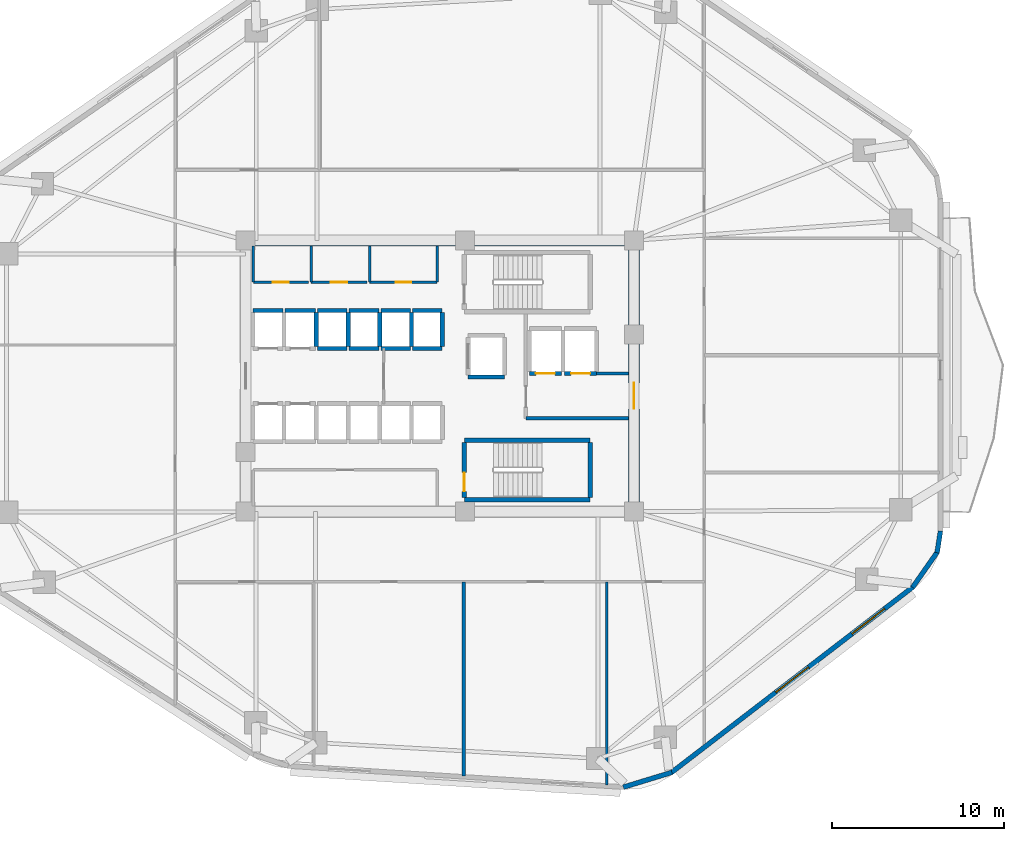
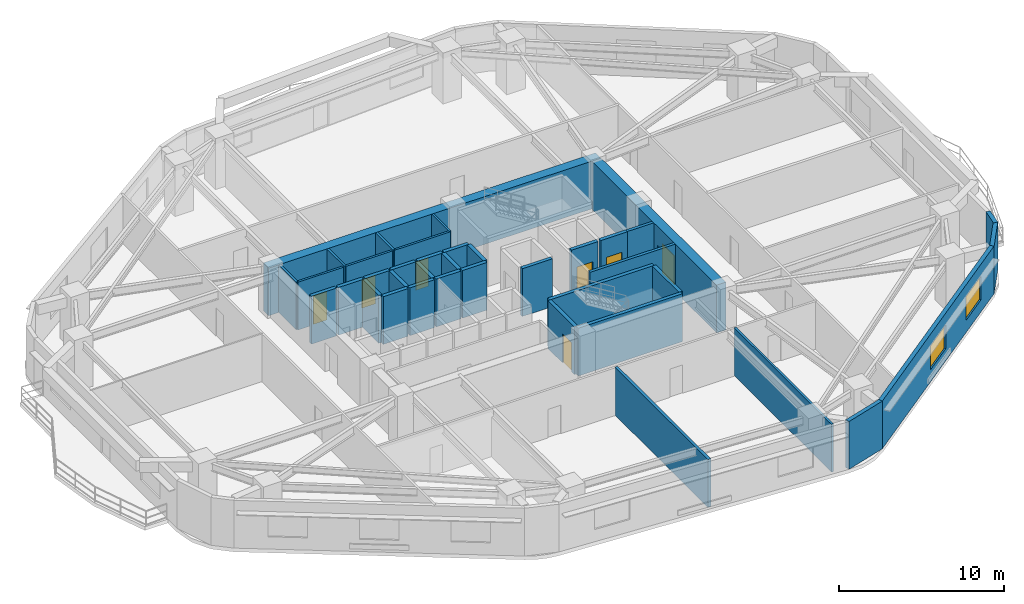
# One storey, part 4 of 9: 39 walls, 7 doors, 2 windows, 9 openings.
"""IFC4 building model written with IfcOpenShell, lengths in metres."""

from ifc_helpers import new_model, si_unit, direction, frame, frame_2d, origin, place, context, subcontext, project, spatial, rectangle, extrude, material, layer, layer_set, type_object, element, fill, save


model = new_model("IFC4")

# Units and contexts
model_context = context("Model", 3, precision=1e-05, world=origin(), true_north=direction((0.0, 1.0)))
body_context = subcontext(model_context, "Body", "Model", "MODEL_VIEW")
ifc_project = project(units=[si_unit("LENGTHUNIT", "METRE"), si_unit("AREAUNIT", "SQUARE_METRE"), si_unit("VOLUMEUNIT", "CUBIC_METRE"), si_unit("PLANEANGLEUNIT", "RADIAN"), si_unit("MASSUNIT", "GRAM", prefix="KILO")], contexts=[model_context])

# Site, building, storey
site_placement = place(None, origin())
site = spatial("IfcSite", under=ifc_project, at=site_placement, CompositionType="ELEMENT")
building_placement = place(site_placement, origin())
building = spatial("IfcBuilding", under=site, at=building_placement, Name="Zulverin Broadcast Headquarters", CompositionType="ELEMENT")
storey_placement = place(building_placement, frame((0.0, 0.0, 63.0)))
storey = spatial("IfcBuildingStorey", under=building, at=storey_placement, Name="L15", CompositionType="ELEMENT", Elevation=63.0)

# Walls
ifc_material_1 = material(Name="Acoustic drywall steel stud", Category="steel")
ifc_layer_1 = layer(ifc_material_1, 0.199951171875, Name="Acoustic drywall steel stud", Category="steel")
ifc_layer_set_1 = layer_set([ifc_layer_1], Name="Acoustic drywall steel stud")
wall_type_1 = type_object("IfcWallType", Name="WL-ACOU-200", PredefinedType="PARTITIONING", material=ifc_layer_set_1)
wall_1_placement = place(storey_placement, frame((38.39990234375, 1.989990234375, 0.0), z_axis=(0.0, 0.0, 1.0), x_axis=(0.0, 1.0, 0.0)))
element("IfcWall", 1, at=wall_1_placement, inside=storey, type_object=wall_type_1, Name="L15 Room Partition Wall RP-03", PredefinedType="PARTITIONING", context=body_context, shape_type="SweptSolid", body=[
    extrude(rectangle(XDim=11.260009765625, YDim=0.199951171875, at=frame_2d((5.6298828125, 0.0))), origin(), (0.0, 0.0, 1.0), 3.52490234375),
])
ifc_material_2 = material(Name="Concrete C60/75", Category="concrete")
ifc_layer_2 = layer(ifc_material_2, 0.64990234375, Name="Concrete C60/75", Category="concrete")
ifc_layer_set_2 = layer_set([ifc_layer_2], Name="Concrete C60/75")
wall_type_2 = type_object("IfcWallType", Name="WL-CORE-650", PredefinedType="SHEAR", material=ifc_layer_set_2)
wall_2_placement = place(storey_placement, frame((25.39990234375, 33.074951171875, 0.0), z_axis=(0.0, 0.0, 1.0), x_axis=(1.0, 0.0, 0.0)))
element("IfcWall", 2, at=wall_2_placement, inside=storey, type_object=wall_type_2, Name="L15 Core North Shear Wall", PredefinedType="SHEAR", context=body_context, shape_type="SweptSolid", body=[
    extrude(rectangle(XDim=23.2001953125, YDim=0.64990234375, at=frame_2d((11.60009765625, 0.0))), origin(), (0.0, 0.0, 1.0), 3.52490234375),
])

# Wall, opening, door
wall_3_placement = place(storey_placement, frame((48.27490234375, 17.64990234375, 0.0), z_axis=(0.0, 0.0, 1.0), x_axis=(0.0, 1.0, 0.0)))
wall_3 = element("IfcWall", 3, at=wall_3_placement, inside=storey, type_object=wall_type_2, Name="L15 Core East Shear Wall", PredefinedType="SHEAR", context=body_context, shape_type="SweptSolid", body=[
    extrude(rectangle(XDim=15.10009765625, YDim=0.64990234375, at=frame_2d((7.550048828125, 0.0))), origin(), (0.0, 0.0, 1.0), 3.52490234375),
])
opening_1_placement = place(wall_3_placement, frame((5.64990234375, 0.0, 0.0)))
opening_1 = element("IfcOpeningElement", 4, at=opening_1_placement, cuts=wall_3, Name="Opening D-L15-CE1", PredefinedType="OPENING", context=body_context, shape_type="SweptSolid", body=[
    extrude(rectangle(XDim=1.5, YDim=2.14990234375, at=frame_2d((0.75, 1.074951171875))), frame((0.0, 0.3349609375, 0.0), z_axis=(0.0, -1.0, 0.0), x_axis=(1.0, 0.0, 0.0)), (0.0, 0.0, 1.0), 0.669921875),
])
ifc_material_3 = material(Name="Fire-rated glazed steel frame", Category="steel")
door_type_1 = type_object("IfcDoorType", Name="DR-COR-1500", OperationType="DOUBLE_DOOR_SINGLE_SWING", PredefinedType="DOOR", material=ifc_material_3)
door_1_placement = place(opening_1_placement, origin())
door_1 = element("IfcDoor", 5, at=door_1_placement, inside=storey, type_object=door_type_1, Name="L15 Firefighting Lobby East Corridor Door", OperationType="DOUBLE_DOOR_SINGLE_SWING", OverallHeight=2.14990234375, OverallWidth=1.5, PredefinedType="DOOR", context=body_context, shape_type="SweptSolid", body=[
    extrude(rectangle(XDim=1.5, YDim=2.14990234375, at=frame_2d((0.75, 1.074951171875))), frame((0.0, 0.02490234375, 0.0), z_axis=(0.0, -1.0, 0.0), x_axis=(1.0, 0.0, 0.0)), (0.0, 0.0, 1.0), 0.050048828125),
])
fill(opening_1, door_1)

# Wall, openings, windows
ifc_material_4 = material(Name="Insulated pale-metal clad concrete spandrel C40/50", Category="concrete")
ifc_layer_3 = layer(ifc_material_4, 0.280029296875, Name="Insulated pale-metal clad concrete spandrel C40/50", Category="concrete")
ifc_layer_set_3 = layer_set([ifc_layer_3], Name="Insulated pale-metal clad concrete spandrel C40/50")
wall_type_3 = type_object("IfcWallType", Name="WL-EXT-280", PredefinedType="STANDARD", material=ifc_layer_set_3)
wall_4_placement = place(storey_placement, frame((50.4287109375, 2.171630859375, 0.0), z_axis=(0.0, 0.0, 1.0), x_axis=(0.792937466367, 0.609303023488, 0.0)))
wall_4 = element("IfcWall", 6, at=wall_4_placement, inside=storey, type_object=wall_type_3, Name="L15 Pale-Metal Clad Spandrel Wall 2", PredefinedType="STANDARD", context=body_context, shape_type="SweptSolid", body=[
    extrude(rectangle(XDim=17.712890625, YDim=0.280029296875, at=frame_2d((8.8564453125, 0.0))), origin(), (0.0, 0.0, 1.0), 3.52490234375),
])
opening_2_placement = place(wall_4_placement, frame((7.656494140625, 0.0, 0.89990234375)))
opening_2 = element("IfcOpeningElement", 7, at=opening_2_placement, cuts=wall_4, Name="Opening W-L15-E21", PredefinedType="OPENING", context=body_context, shape_type="SweptSolid", body=[
    extrude(rectangle(XDim=2.39990234375, YDim=1.75, at=frame_2d((1.199951171875, 0.875))), frame((0.0, 0.14990234375, 0.0), z_axis=(0.0, -1.0, 0.0), x_axis=(1.0, 0.0, 0.0)), (0.0, 0.0, 1.0), 0.300048828125),
])
opening_3_placement = place(wall_4_placement, frame((13.227294921875, 0.0, 0.89990234375)))
opening_3 = element("IfcOpeningElement", 8, at=opening_3_placement, cuts=wall_4, Name="Opening W-L15-E22", PredefinedType="OPENING", context=body_context, shape_type="SweptSolid", body=[
    extrude(rectangle(XDim=2.39990234375, YDim=1.75, at=frame_2d((1.199951171875, 0.875))), frame((0.0, 0.14990234375, 0.0), z_axis=(0.0, -1.0, 0.0), x_axis=(1.0, 0.0, 0.0)), (0.0, 0.0, 1.0), 0.300048828125),
])
ifc_material_5 = material(Name="Pale anodized aluminium frame with solar-control low-E double glazing", Category="aluminium")
window_type = type_object("IfcWindowType", Name="WIN-RIB-2400", PartitioningType="SINGLE_PANEL", PredefinedType="WINDOW", material=ifc_material_5)
window_1_placement = place(opening_2_placement, origin())
window_1 = element("IfcWindow", 9, at=window_1_placement, inside=storey, type_object=window_type, Name="L15 Ribbon Glazing Window 2 1", OverallHeight=1.75, OverallWidth=2.39990234375, PartitioningType="SINGLE_PANEL", PredefinedType="WINDOW", context=body_context, shape_type="SweptSolid", body=[
    extrude(rectangle(XDim=2.39990234375, YDim=1.75, at=frame_2d((1.199951171875, 0.875))), frame((0.0, 0.030029296875, 0.0), z_axis=(0.0, -1.0, 0.0), x_axis=(1.0, 0.0, 0.0)), (0.0, 0.0, 1.0), 0.06005859375),
])
fill(opening_2, window_1)
window_2_placement = place(opening_3_placement, origin())
window_2 = element("IfcWindow", 10, at=window_2_placement, inside=storey, type_object=window_type, Name="L15 Ribbon Glazing Window 2 2", OverallHeight=1.75, OverallWidth=2.39990234375, PartitioningType="SINGLE_PANEL", PredefinedType="WINDOW", context=body_context, shape_type="SweptSolid", body=[
    extrude(rectangle(XDim=2.39990234375, YDim=1.75, at=frame_2d((1.199951171875, 0.875))), frame((0.0, 0.030029296875, 0.0), z_axis=(0.0, -1.0, 0.0), x_axis=(1.0, 0.0, 0.0)), (0.0, 0.0, 1.0), 0.06005859375),
])
fill(opening_3, window_2)

# Walls
wall_5_placement = place(storey_placement, frame((47.649658203125, 1.3330078125, 0.0), z_axis=(0.0, 0.0, 1.0), x_axis=(0.956461287977, 0.291859220516, 0.0)))
element("IfcWall", 11, at=wall_5_placement, inside=storey, type_object=wall_type_3, Name="L15 Wind-Shaped Corner Spandrel Wall 1-1", PredefinedType="STANDARD", context=body_context, shape_type="SweptSolid", body=[
    extrude(rectangle(XDim=2.951904296875, YDim=0.280029296875, at=frame_2d((1.47607421875, 0.0))), origin(), (0.0, 0.0, 1.0), 3.52490234375),
])
wall_6_placement = place(storey_placement, frame((64.4443359375, 12.933349609375, 0.0), z_axis=(0.0, 0.0, 1.0), x_axis=(0.573176686443, 0.819431806875, 0.0)))
element("IfcWall", 12, at=wall_6_placement, inside=storey, type_object=wall_type_3, Name="L15 Wind-Shaped Corner Spandrel Wall 2-1", PredefinedType="STANDARD", context=body_context, shape_type="SweptSolid", body=[
    extrude(rectangle(XDim=2.524169921875, YDim=0.280029296875, at=frame_2d((1.26220703125, 0.0))), origin(), (0.0, 0.0, 1.0), 3.52490234375),
])
wall_7_placement = place(storey_placement, frame((65.867431640625, 14.942626953125, 0.0), z_axis=(0.0, 0.0, 1.0), x_axis=(0.152014078361, 0.988378328364, 0.0)))
element("IfcWall", 13, at=wall_7_placement, inside=storey, type_object=wall_type_3, Name="L15 Wind-Shaped Corner Spandrel Wall 2-2", PredefinedType="STANDARD", context=body_context, shape_type="SweptSolid", body=[
    extrude(rectangle(XDim=1.27685546875, YDim=0.280029296875, at=frame_2d((0.638427734375, 0.0))), origin(), (0.0, 0.0, 1.0), 3.52490234375),
])
ifc_material_6 = material(Name="Concrete C40/50", Category="concrete")
ifc_layer_4 = layer(ifc_material_6, 0.199951171875, Name="Concrete C40/50", Category="concrete")
ifc_layer_set_4 = layer_set([ifc_layer_4], Name="Concrete C40/50")
wall_type_4 = type_object("IfcWallType", Name="WL-FFL-200", PredefinedType="SOLIDWALL", material=ifc_layer_set_4)
wall_8_placement = place(storey_placement, frame((42.0, 22.75, 0.0), z_axis=(0.0, 0.0, 1.0), x_axis=(1.0, 0.0, 0.0)))
element("IfcWall", 14, at=wall_8_placement, inside=storey, type_object=wall_type_4, Name="L15 Firefighting Lift Lobby South Wall", PredefinedType="SOLIDWALL", context=body_context, shape_type="SweptSolid", body=[
    extrude(rectangle(XDim=5.949951171875, YDim=0.199951171875, at=frame_2d((2.97509765625, 0.0))), origin(), (0.0, 0.0, 1.0), 3.52490234375),
])
wall_9_placement = place(storey_placement, frame((46.10009765625, 25.35009765625, 0.0), z_axis=(0.0, 0.0, 1.0), x_axis=(1.0, 0.0, 0.0)))
element("IfcWall", 15, at=wall_9_placement, inside=storey, type_object=wall_type_4, Name="L15 Firefighting Lift Lobby North Wall", PredefinedType="SOLIDWALL", context=body_context, shape_type="SweptSolid", body=[
    extrude(rectangle(XDim=1.849853515625, YDim=0.199951171875, at=frame_2d((0.9248046875, 0.0))), origin(), (0.0, 0.0, 1.0), 3.52490234375),
])

# Wall, opening, door
ifc_material_7 = material(Name="Fire-rated gypsum stud partition", Category="gypsum")
ifc_layer_5 = layer(ifc_material_7, 0.14990234375, Name="Fire-rated gypsum stud partition", Category="gypsum")
ifc_layer_set_5 = layer_set([ifc_layer_5], Name="Fire-rated gypsum stud partition")
wall_type_5 = type_object("IfcWallType", Name="WL-PART-150", PredefinedType="PARTITIONING", material=ifc_layer_set_5)
wall_10_placement = place(storey_placement, frame((26.169921875, 30.64990234375, 0.0), z_axis=(0.0, 0.0, 1.0), x_axis=(1.0, 0.0, 0.0)))
wall_10 = element("IfcWall", 16, at=wall_10_placement, inside=storey, type_object=wall_type_5, Name="L15 Core Accessible WC Front Wall", PredefinedType="PARTITIONING", context=body_context, shape_type="SweptSolid", body=[
    extrude(rectangle(XDim=3.2001953125, YDim=0.14990234375, at=frame_2d((1.60009765625, 0.0))), origin(), (0.0, 0.0, 1.0), 3.52490234375),
])
opening_4_placement = place(wall_10_placement, frame((1.125, 0.0, 0.0)))
opening_4 = element("IfcOpeningElement", 17, at=opening_4_placement, cuts=wall_10, Name="Opening D-L15-NC1", PredefinedType="OPENING", context=body_context, shape_type="SweptSolid", body=[
    extrude(rectangle(XDim=0.949951171875, YDim=2.10009765625, at=frame_2d((0.47509765625, 1.050048828125))), frame((0.0, 0.0849609375, 0.0), z_axis=(0.0, -1.0, 0.0), x_axis=(1.0, 0.0, 0.0)), (0.0, 0.0, 1.0), 0.169921875),
])
ifc_material_8 = material(Name="Fire-rated moisture-resistant laminate leaf", Category="wood")
door_type_2 = type_object("IfcDoorType", Name="DR-WC-950", OperationType="SINGLE_SWING_LEFT", PredefinedType="DOOR", material=ifc_material_8)
door_2_placement = place(opening_4_placement, origin())
door_2 = element("IfcDoor", 18, at=door_2_placement, inside=storey, type_object=door_type_2, Name="L15 Accessible WC Door", OperationType="SINGLE_SWING_LEFT", OverallHeight=2.10009765625, OverallWidth=0.949951171875, PredefinedType="DOOR", context=body_context, shape_type="SweptSolid", body=[
    extrude(rectangle(XDim=0.949951171875, YDim=2.10009765625, at=frame_2d((0.47509765625, 1.050048828125))), frame((0.0, 0.02490234375, 0.0), z_axis=(0.0, -1.0, 0.0), x_axis=(1.0, 0.0, 0.0)), (0.0, 0.0, 1.0), 0.050048828125),
])
fill(opening_4, door_2)

# Wall
wall_11_placement = place(storey_placement, frame((26.169921875, 30.64990234375, 0.0), z_axis=(0.0, 0.0, 1.0), x_axis=(0.0, 1.0, 0.0)))
element("IfcWall", 19, at=wall_11_placement, inside=storey, type_object=wall_type_5, Name="L15 Core Accessible WC West Wall", PredefinedType="PARTITIONING", context=body_context, shape_type="SweptSolid", body=[
    extrude(rectangle(XDim=2.10009765625, YDim=0.14990234375, at=frame_2d((1.050048828125, 0.0))), origin(), (0.0, 0.0, 1.0), 3.52490234375),
])

# Wall, opening, door
wall_12_placement = place(storey_placement, frame((29.530029296875, 30.64990234375, 0.0), z_axis=(0.0, 0.0, 1.0), x_axis=(1.0, 0.0, 0.0)))
wall_12 = element("IfcWall", 20, at=wall_12_placement, inside=storey, type_object=wall_type_5, Name="L15 Core Male WC Front Wall", PredefinedType="PARTITIONING", context=body_context, shape_type="SweptSolid", body=[
    extrude(rectangle(XDim=3.239990234375, YDim=0.14990234375, at=frame_2d((1.6201171875, 0.0))), origin(), (0.0, 0.0, 1.0), 3.52490234375),
])
opening_5_placement = place(wall_12_placement, frame((1.14501953125, 0.0, 0.0)))
opening_5 = element("IfcOpeningElement", 21, at=opening_5_placement, cuts=wall_12, Name="Opening D-L15-NC2", PredefinedType="OPENING", context=body_context, shape_type="SweptSolid", body=[
    extrude(rectangle(XDim=0.949951171875, YDim=2.10009765625, at=frame_2d((0.47509765625, 1.050048828125))), frame((0.0, 0.0849609375, 0.0), z_axis=(0.0, -1.0, 0.0), x_axis=(1.0, 0.0, 0.0)), (0.0, 0.0, 1.0), 0.169921875),
])
door_3_placement = place(opening_5_placement, origin())
door_3 = element("IfcDoor", 22, at=door_3_placement, inside=storey, type_object=door_type_2, Name="L15 Male WC Door", OperationType="SINGLE_SWING_RIGHT", OverallHeight=2.10009765625, OverallWidth=0.949951171875, PredefinedType="DOOR", context=body_context, shape_type="SweptSolid", body=[
    extrude(rectangle(XDim=0.949951171875, YDim=2.10009765625, at=frame_2d((0.47509765625, 1.050048828125))), frame((0.0, 0.02490234375, 0.0), z_axis=(0.0, -1.0, 0.0), x_axis=(1.0, 0.0, 0.0)), (0.0, 0.0, 1.0), 0.050048828125),
])
fill(opening_5, door_3)

# Wall
wall_13_placement = place(storey_placement, frame((29.530029296875, 30.64990234375, 0.0), z_axis=(0.0, 0.0, 1.0), x_axis=(0.0, 1.0, 0.0)))
element("IfcWall", 23, at=wall_13_placement, inside=storey, type_object=wall_type_5, Name="L15 Core Male WC West Wall", PredefinedType="PARTITIONING", context=body_context, shape_type="SweptSolid", body=[
    extrude(rectangle(XDim=2.10009765625, YDim=0.14990234375, at=frame_2d((1.050048828125, 0.0))), origin(), (0.0, 0.0, 1.0), 3.52490234375),
])

# Wall, opening, door
wall_14_placement = place(storey_placement, frame((32.929931640625, 30.64990234375, 0.0), z_axis=(0.0, 0.0, 1.0), x_axis=(1.0, 0.0, 0.0)))
wall_14 = element("IfcWall", 24, at=wall_14_placement, inside=storey, type_object=wall_type_5, Name="L15 Core Electrical Switch Riser Front Wall", PredefinedType="PARTITIONING", context=body_context, shape_type="SweptSolid", body=[
    extrude(rectangle(XDim=3.920166015625, YDim=0.14990234375, at=frame_2d((1.9599609375, 0.0))), origin(), (0.0, 0.0, 1.0), 3.52490234375),
])
opening_6_placement = place(wall_14_placement, frame((1.510009765625, 0.0, 0.0)))
opening_6 = element("IfcOpeningElement", 25, at=opening_6_placement, cuts=wall_14, Name="Opening D-L15-NC3", PredefinedType="OPENING", context=body_context, shape_type="SweptSolid", body=[
    extrude(rectangle(XDim=0.89990234375, YDim=2.10009765625, at=frame_2d((0.449951171875, 1.050048828125))), frame((0.0, 0.0849609375, 0.0), z_axis=(0.0, -1.0, 0.0), x_axis=(1.0, 0.0, 0.0)), (0.0, 0.0, 1.0), 0.169921875),
])
ifc_material_9 = material(Name="Powder-coated steel access leaf", Category="steel")
door_type_3 = type_object("IfcDoorType", Name="DR-RISER-900", OperationType="SINGLE_SWING_LEFT", PredefinedType="DOOR", material=ifc_material_9)
door_4_placement = place(opening_6_placement, origin())
door_4 = element("IfcDoor", 26, at=door_4_placement, inside=storey, type_object=door_type_3, Name="L15 Electrical Switch Riser Door", OperationType="SINGLE_SWING_LEFT", OverallHeight=2.10009765625, OverallWidth=0.89990234375, PredefinedType="DOOR", context=body_context, shape_type="SweptSolid", body=[
    extrude(rectangle(XDim=0.89990234375, YDim=2.10009765625, at=frame_2d((0.449951171875, 1.050048828125))), frame((0.0, 0.02490234375, 0.0), z_axis=(0.0, -1.0, 0.0), x_axis=(1.0, 0.0, 0.0)), (0.0, 0.0, 1.0), 0.050048828125),
])
fill(opening_6, door_4)

# Walls
for number, where, z_axis, x_axis, name in (
    (27, (32.929931640625, 30.64990234375, 0.0), (0.0, 0.0, 1.0), (0.0, 1.0, 0.0), "L15 Core Electrical Switch Riser West Wall"),
    (28, (36.85009765625, 30.64990234375, 0.0), (0.0, 0.0, 1.0), (0.0, 1.0, 0.0), "L15 Core Electrical Switch Riser East Wall"),
):
    element("IfcWall", number, at=place(storey_placement, frame(where, z_axis=z_axis, x_axis=x_axis)), inside=storey, type_object=wall_type_5, Name=name, PredefinedType="PARTITIONING", context=body_context, shape_type="SweptSolid", body=[
        extrude(rectangle(XDim=2.10009765625, YDim=0.14990234375, at=frame_2d((1.050048828125, 0.0))), origin(), (0.0, 0.0, 1.0), 3.52490234375),
    ])
wall_15_placement = place(storey_placement, frame((46.699951171875, 1.466796875, 0.0), z_axis=(0.0, 0.0, 1.0), x_axis=(0.0, 1.0, 0.0)))
element("IfcWall", 29, at=wall_15_placement, inside=storey, type_object=wall_type_5, Name="L15 Room Partition Wall RP-02", PredefinedType="PARTITIONING", context=body_context, shape_type="SweptSolid", body=[
    extrude(rectangle(XDim=11.783203125, YDim=0.14990234375, at=frame_2d((5.8916015625, 0.0))), origin(), (0.0, 0.0, 1.0), 3.52490234375),
])
ifc_material_10 = material(Name="Concrete C50/60", Category="concrete")
ifc_layer_6 = layer(ifc_material_10, 0.25, Name="Concrete C50/60", Category="concrete")
ifc_layer_set_6 = layer_set([ifc_layer_6], Name="Concrete C50/60")
wall_type_6 = type_object("IfcWallType", Name="WL-SHAFT-250", PredefinedType="SHEAR", material=ifc_layer_set_6)
for number, where, z_axis, x_axis, name in (
    (30, (38.425048828125, 18.02490234375, 0.0), (0.0, 0.0, 1.0), (1.0, 0.0, 0.0), "L15 ST-2 Enclosure Wall S"),
    (31, (38.425048828125, 21.47509765625, 0.0), (0.0, 0.0, 1.0), (1.0, 0.0, 0.0), "L15 ST-2 Enclosure Wall N"),
):
    element("IfcWall", number, at=place(storey_placement, frame(where, z_axis=z_axis, x_axis=x_axis)), inside=storey, type_object=wall_type_6, Name=name, PredefinedType="SHEAR", context=body_context, shape_type="SweptSolid", body=[
        extrude(rectangle(XDim=7.300048828125, YDim=0.25, at=frame_2d((3.64990234375, 0.0))), origin(), (0.0, 0.0, 1.0), 3.52490234375),
    ])

# Wall, opening, door
wall_16_placement = place(storey_placement, frame((38.425048828125, 18.14990234375, 0.0), z_axis=(0.0, 0.0, 1.0), x_axis=(0.0, 1.0, 0.0)))
wall_16 = element("IfcWall", 32, at=wall_16_placement, inside=storey, type_object=wall_type_6, Name="L15 ST-2 Enclosure Wall W", PredefinedType="SHEAR", context=body_context, shape_type="SweptSolid", body=[
    extrude(rectangle(XDim=3.2001953125, YDim=0.25, at=frame_2d((1.60009765625, 0.0))), origin(), (0.0, 0.0, 1.0), 3.52490234375),
])
opening_7_placement = place(wall_16_placement, frame((0.35009765625, 0.0, 0.0)))
opening_7 = element("IfcOpeningElement", 33, at=opening_7_placement, cuts=wall_16, Name="Opening D-L15-ST-2", PredefinedType="OPENING", context=body_context, shape_type="SweptSolid", body=[
    extrude(rectangle(XDim=1.10009765625, YDim=2.14990234375, at=frame_2d((0.550048828125, 1.074951171875))), frame((0.0, 0.135009765625, 0.0), z_axis=(0.0, -1.0, 0.0), x_axis=(1.0, 0.0, 0.0)), (0.0, 0.0, 1.0), 0.27001953125),
])
ifc_material_11 = material(Name="Fire-rated steel leaf and frame", Category="steel")
door_type_4 = type_object("IfcDoorType", Name="DR-STAIR-1100", OperationType="SINGLE_SWING_LEFT", PredefinedType="DOOR", material=ifc_material_11)
door_5_placement = place(opening_7_placement, origin())
door_5 = element("IfcDoor", 34, at=door_5_placement, inside=storey, type_object=door_type_4, Name="L15 Exit Stair ST-2 Fire Door", OperationType="SINGLE_SWING_RIGHT", OverallHeight=2.14990234375, OverallWidth=1.10009765625, PredefinedType="DOOR", context=body_context, shape_type="SweptSolid", body=[
    extrude(rectangle(XDim=1.10009765625, YDim=2.14990234375, at=frame_2d((0.550048828125, 1.074951171875))), frame((0.0, 0.02490234375, 0.0), z_axis=(0.0, -1.0, 0.0), x_axis=(1.0, 0.0, 0.0)), (0.0, 0.0, 1.0), 0.050048828125),
])
fill(opening_7, door_5)

# Walls
wall_17_placement = place(storey_placement, frame((45.72509765625, 18.14990234375, 0.0), z_axis=(0.0, 0.0, 1.0), x_axis=(0.0, 1.0, 0.0)))
element("IfcWall", 35, at=wall_17_placement, inside=storey, type_object=wall_type_6, Name="L15 ST-2 Enclosure Wall E", PredefinedType="SHEAR", context=body_context, shape_type="SweptSolid", body=[
    extrude(rectangle(XDim=3.2001953125, YDim=0.25, at=frame_2d((1.60009765625, 0.0))), origin(), (0.0, 0.0, 1.0), 3.52490234375),
])
for number, where, z_axis, x_axis, name in (
    (36, (26.14990234375, 29.0, 0.0), (0.0, 0.0, 1.0), (1.0, 0.0, 0.0), "L15 Lift PL-L1 Shaft Wall N"),
    (37, (28.02001953125, 29.0, 0.0), (0.0, 0.0, 1.0), (1.0, 0.0, 0.0), "L15 Lift PL-L2 Shaft Wall N"),
):
    element("IfcWall", number, at=place(storey_placement, frame(where, z_axis=z_axis, x_axis=x_axis)), inside=storey, type_object=wall_type_6, Name=name, PredefinedType="SHEAR", context=body_context, shape_type="SweptSolid", body=[
        extrude(rectangle(XDim=1.75, YDim=0.25, at=frame_2d((0.875, 0.0))), origin(), (0.0, 0.0, 1.0), 3.52490234375),
    ])
wall_18_placement = place(storey_placement, frame((29.8349609375, 26.919921875, 0.0), z_axis=(0.0, 0.0, 1.0), x_axis=(0.0, 1.0, 0.0)))
element("IfcWall", 38, at=wall_18_placement, inside=storey, type_object=wall_type_6, Name="L15 Lift PL-L2 Shaft Wall E", PredefinedType="SHEAR", context=body_context, shape_type="SweptSolid", body=[
    extrude(rectangle(XDim=1.9599609375, YDim=0.25, at=frame_2d((0.97998046875, 0.0))), origin(), (0.0, 0.0, 1.0), 3.52490234375),
])
for number, where, z_axis, x_axis, name in (
    (39, (29.89990234375, 26.800048828125, 0.0), (0.0, 0.0, 1.0), (1.0, 0.0, 0.0), "L15 Lift PL-H1 Shaft Wall S"),
    (40, (29.89990234375, 29.0, 0.0), (0.0, 0.0, 1.0), (1.0, 0.0, 0.0), "L15 Lift PL-H1 Shaft Wall N"),
):
    element("IfcWall", number, at=place(storey_placement, frame(where, z_axis=z_axis, x_axis=x_axis)), inside=storey, type_object=wall_type_6, Name=name, PredefinedType="SHEAR", context=body_context, shape_type="SweptSolid", body=[
        extrude(rectangle(XDim=1.72021484375, YDim=0.25, at=frame_2d((0.860107421875, 0.0))), origin(), (0.0, 0.0, 1.0), 3.52490234375),
    ])
wall_19_placement = place(storey_placement, frame((31.679931640625, 26.919921875, 0.0), z_axis=(0.0, 0.0, 1.0), x_axis=(0.0, 1.0, 0.0)))
element("IfcWall", 41, at=wall_19_placement, inside=storey, type_object=wall_type_6, Name="L15 Lift PL-H1 Shaft Wall E", PredefinedType="SHEAR", context=body_context, shape_type="SweptSolid", body=[
    extrude(rectangle(XDim=1.9599609375, YDim=0.25, at=frame_2d((0.97998046875, 0.0))), origin(), (0.0, 0.0, 1.0), 3.52490234375),
])
for number, where, z_axis, x_axis, name in (
    (42, (31.739990234375, 26.800048828125, 0.0), (0.0, 0.0, 1.0), (1.0, 0.0, 0.0), "L15 Lift PL-H2 Shaft Wall S"),
    (43, (31.739990234375, 29.0, 0.0), (0.0, 0.0, 1.0), (1.0, 0.0, 0.0), "L15 Lift PL-H2 Shaft Wall N"),
):
    element("IfcWall", number, at=place(storey_placement, frame(where, z_axis=z_axis, x_axis=x_axis)), inside=storey, type_object=wall_type_6, Name=name, PredefinedType="SHEAR", context=body_context, shape_type="SweptSolid", body=[
        extrude(rectangle(XDim=1.719970703125, YDim=0.25, at=frame_2d((0.85986328125, 0.0))), origin(), (0.0, 0.0, 1.0), 3.52490234375),
    ])
wall_20_placement = place(storey_placement, frame((33.52001953125, 26.919921875, 0.0), z_axis=(0.0, 0.0, 1.0), x_axis=(0.0, 1.0, 0.0)))
element("IfcWall", 44, at=wall_20_placement, inside=storey, type_object=wall_type_6, Name="L15 Lift PL-H2 Shaft Wall E", PredefinedType="SHEAR", context=body_context, shape_type="SweptSolid", body=[
    extrude(rectangle(XDim=1.9599609375, YDim=0.25, at=frame_2d((0.97998046875, 0.0))), origin(), (0.0, 0.0, 1.0), 3.52490234375),
])
for number, where, z_axis, x_axis, name in (
    (45, (33.580078125, 26.800048828125, 0.0), (0.0, 0.0, 1.0), (1.0, 0.0, 0.0), "L15 Lift PL-H3 Shaft Wall S"),
    (46, (33.580078125, 29.0, 0.0), (0.0, 0.0, 1.0), (1.0, 0.0, 0.0), "L15 Lift PL-H3 Shaft Wall N"),
):
    element("IfcWall", number, at=place(storey_placement, frame(where, z_axis=z_axis, x_axis=x_axis)), inside=storey, type_object=wall_type_6, Name=name, PredefinedType="SHEAR", context=body_context, shape_type="SweptSolid", body=[
        extrude(rectangle(XDim=1.719970703125, YDim=0.25, at=frame_2d((0.85986328125, 0.0))), origin(), (0.0, 0.0, 1.0), 3.52490234375),
    ])
wall_21_placement = place(storey_placement, frame((35.360107421875, 26.919921875, 0.0), z_axis=(0.0, 0.0, 1.0), x_axis=(0.0, 1.0, 0.0)))
element("IfcWall", 47, at=wall_21_placement, inside=storey, type_object=wall_type_6, Name="L15 Lift PL-H3 Shaft Wall E", PredefinedType="SHEAR", context=body_context, shape_type="SweptSolid", body=[
    extrude(rectangle(XDim=1.9599609375, YDim=0.25, at=frame_2d((0.97998046875, 0.0))), origin(), (0.0, 0.0, 1.0), 3.52490234375),
])
for number, where, z_axis, x_axis, name in (
    (48, (35.419921875, 26.800048828125, 0.0), (0.0, 0.0, 1.0), (1.0, 0.0, 0.0), "L15 Lift PL-H4 Shaft Wall S"),
    (49, (35.419921875, 29.0, 0.0), (0.0, 0.0, 1.0), (1.0, 0.0, 0.0), "L15 Lift PL-H4 Shaft Wall N"),
):
    element("IfcWall", number, at=place(storey_placement, frame(where, z_axis=z_axis, x_axis=x_axis)), inside=storey, type_object=wall_type_6, Name=name, PredefinedType="SHEAR", context=body_context, shape_type="SweptSolid", body=[
        extrude(rectangle(XDim=1.719970703125, YDim=0.25, at=frame_2d((0.85986328125, 0.0))), origin(), (0.0, 0.0, 1.0), 3.52490234375),
    ])
wall_22_placement = place(storey_placement, frame((37.139892578125, 26.919921875, 0.0), z_axis=(0.0, 0.0, 1.0), x_axis=(0.0, 1.0, 0.0)))
element("IfcWall", 50, at=wall_22_placement, inside=storey, type_object=wall_type_6, Name="L15 Lift PL-H4 Shaft Wall E", PredefinedType="SHEAR", context=body_context, shape_type="SweptSolid", body=[
    extrude(rectangle(XDim=1.9599609375, YDim=0.25, at=frame_2d((0.97998046875, 0.0))), origin(), (0.0, 0.0, 1.0), 3.52490234375),
])

# Wall, opening, door
wall_23_placement = place(storey_placement, frame((42.199951171875, 25.35009765625, 0.0), z_axis=(0.0, 0.0, 1.0), x_axis=(1.0, 0.0, 0.0)))
wall_23 = element("IfcWall", 51, at=wall_23_placement, inside=storey, type_object=wall_type_6, Name="L15 Lift FFL-1 Shaft Wall S", PredefinedType="SHEAR", context=body_context, shape_type="SweptSolid", body=[
    extrude(rectangle(XDim=1.85009765625, YDim=0.25, at=frame_2d((0.925048828125, 0.0))), origin(), (0.0, 0.0, 1.0), 3.52490234375),
])
opening_8_placement = place(wall_23_placement, frame((0.375, 0.0, 0.0)))
opening_8 = element("IfcOpeningElement", 52, at=opening_8_placement, cuts=wall_23, Name="Opening LD-FFL-1-L15", PredefinedType="OPENING", context=body_context, shape_type="SweptSolid", body=[
    extrude(rectangle(XDim=1.10009765625, YDim=2.14990234375, at=frame_2d((0.550048828125, 1.074951171875))), frame((0.0, 0.135009765625, 0.0), z_axis=(0.0, -1.0, 0.0), x_axis=(1.0, 0.0, 0.0)), (0.0, 0.0, 1.0), 0.27001953125),
])
ifc_material_12 = material(Name="Fire-rated stainless landing door", Category="steel")
door_type_5 = type_object("IfcDoorType", Name="LD-FFL-1100", OperationType="DOUBLE_DOOR_SLIDING", PredefinedType="DOOR", material=ifc_material_12)
door_6_placement = place(opening_8_placement, origin())
door_6 = element("IfcDoor", 53, at=door_6_placement, inside=storey, type_object=door_type_5, Name="L15 Lift FFL-1 Sliding Landing Door", OperationType="DOUBLE_DOOR_SLIDING", OverallHeight=2.14990234375, OverallWidth=1.10009765625, PredefinedType="DOOR", context=body_context, shape_type="SweptSolid", body=[
    extrude(rectangle(XDim=1.10009765625, YDim=2.14990234375, at=frame_2d((0.550048828125, 1.074951171875))), frame((0.0, 0.02490234375, 0.0), z_axis=(0.0, -1.0, 0.0), x_axis=(1.0, 0.0, 0.0)), (0.0, 0.0, 1.0), 0.050048828125),
])
fill(opening_8, door_6)

wall_24_placement = place(storey_placement, frame((44.25, 25.35009765625, 0.0), z_axis=(0.0, 0.0, 1.0), x_axis=(1.0, 0.0, 0.0)))
wall_24 = element("IfcWall", 54, at=wall_24_placement, inside=storey, type_object=wall_type_6, Name="L15 Lift FFL-2 Shaft Wall S", PredefinedType="SHEAR", context=body_context, shape_type="SweptSolid", body=[
    extrude(rectangle(XDim=1.85009765625, YDim=0.25, at=frame_2d((0.925048828125, 0.0))), origin(), (0.0, 0.0, 1.0), 3.52490234375),
])
opening_9_placement = place(wall_24_placement, frame((0.375, 0.0, 0.0)))
opening_9 = element("IfcOpeningElement", 55, at=opening_9_placement, cuts=wall_24, Name="Opening LD-FFL-2-L15", PredefinedType="OPENING", context=body_context, shape_type="SweptSolid", body=[
    extrude(rectangle(XDim=1.10009765625, YDim=2.14990234375, at=frame_2d((0.550048828125, 1.074951171875))), frame((0.0, 0.135009765625, 0.0), z_axis=(0.0, -1.0, 0.0), x_axis=(1.0, 0.0, 0.0)), (0.0, 0.0, 1.0), 0.27001953125),
])
door_7_placement = place(opening_9_placement, origin())
door_7 = element("IfcDoor", 56, at=door_7_placement, inside=storey, type_object=door_type_5, Name="L15 Lift FFL-2 Sliding Landing Door", OperationType="DOUBLE_DOOR_SLIDING", OverallHeight=2.14990234375, OverallWidth=1.10009765625, PredefinedType="DOOR", context=body_context, shape_type="SweptSolid", body=[
    extrude(rectangle(XDim=1.10009765625, YDim=2.14990234375, at=frame_2d((0.550048828125, 1.074951171875))), frame((0.0, 0.02490234375, 0.0), z_axis=(0.0, -1.0, 0.0), x_axis=(1.0, 0.0, 0.0)), (0.0, 0.0, 1.0), 0.050048828125),
])
fill(opening_9, door_7)

# Wall
wall_25_placement = place(storey_placement, frame((38.64990234375, 25.14990234375, 0.0), z_axis=(0.0, 0.0, 1.0), x_axis=(1.0, 0.0, 0.0)))
element("IfcWall", 57, at=wall_25_placement, inside=storey, type_object=wall_type_6, Name="L15 Lift SVL-1 Shaft Wall S", PredefinedType="SHEAR", context=body_context, shape_type="SweptSolid", body=[
    extrude(rectangle(XDim=2.10009765625, YDim=0.25, at=frame_2d((1.050048828125, 0.0))), origin(), (0.0, 0.0, 1.0), 3.52490234375),
])

save(model, "model.ifc")
